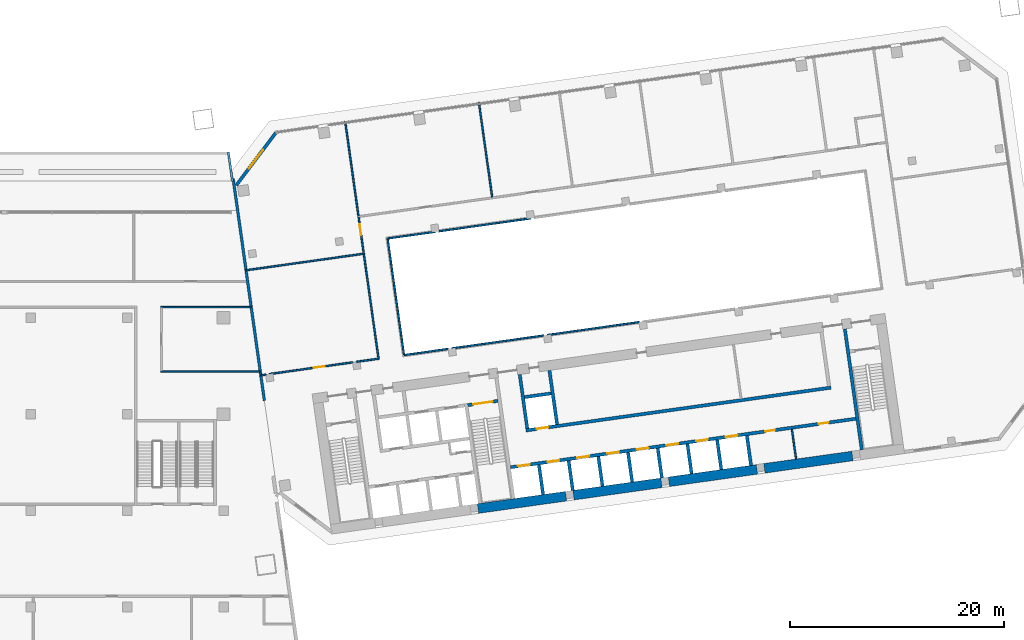
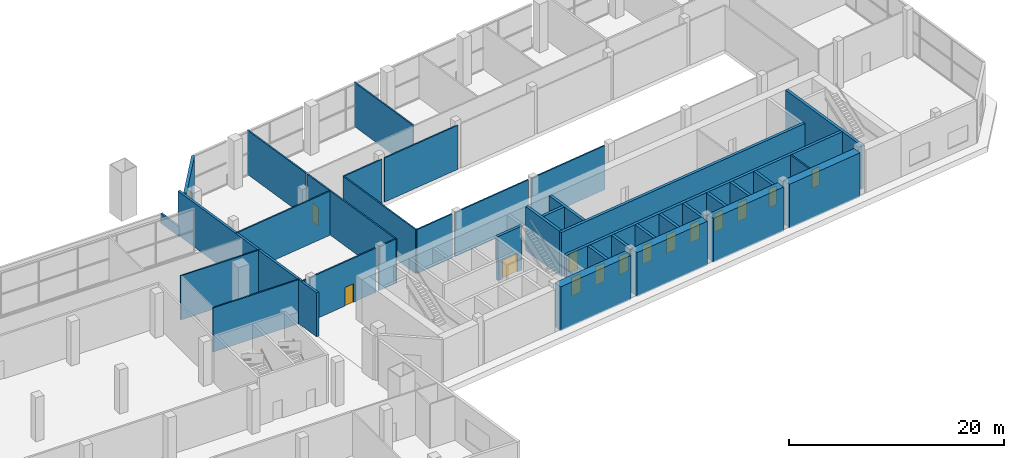
# One storey, part 16 of 23: 38 walls, 14 doors, 1 window, 15 openings.
"""IFC4 building model written with IfcOpenShell, lengths in metres."""

from ifc_helpers import new_model, si_unit, direction, frame, frame_2d, origin, place, context, subcontext, project, spatial, rectangle, extrude, material, layer, layer_set, type_object, element, fill, save


model = new_model("IFC4")

# Units and contexts
model_context = context("Model", 3, precision=1e-05, world=origin(), true_north=direction((0.0, 1.0)))
body_context = subcontext(model_context, "Body", "Model", "MODEL_VIEW")
ifc_project = project(units=[si_unit("LENGTHUNIT", "METRE"), si_unit("AREAUNIT", "SQUARE_METRE"), si_unit("VOLUMEUNIT", "CUBIC_METRE"), si_unit("PLANEANGLEUNIT", "RADIAN"), si_unit("MASSUNIT", "GRAM", prefix="KILO")], contexts=[model_context])

# Site, building, storey
site_placement = place(None, origin())
site = spatial("IfcSite", under=ifc_project, at=site_placement, CompositionType="ELEMENT")
building_placement = place(site_placement, origin())
building = spatial("IfcBuilding", under=site, at=building_placement, Name="Mirante Cascada Hotel Towers", CompositionType="ELEMENT")
storey_placement = place(building_placement, frame((0.0, 0.0, 29.0)))
storey = spatial("IfcBuildingStorey", under=building, at=storey_placement, Name="L04", CompositionType="ELEMENT", Elevation=29.0)

# Walls
ifc_material_1 = material(Name="Masonry block", Category="masonry")
ifc_layer_1 = layer(ifc_material_1, 0.15)
ifc_layer_set_1 = layer_set([ifc_layer_1], Name="Core room partition 150 block EI 30")
wall_type_1 = type_object("IfcWallType", Name="Core room partition 150 block EI 30", PredefinedType="PARTITIONING", material=ifc_layer_set_1)
wall_1_placement = place(storey_placement, frame((80.448, -13.1879, 0.0), z_axis=(0.0, 0.0, 1.0), x_axis=(-0.139176, 0.9902677, 0.0)))
element("IfcWall", 1, at=wall_1_placement, inside=storey, type_object=wall_type_1, Name="Core wall partition T2 L04 4", PredefinedType="PARTITIONING", context=body_context, shape_type="SweptSolid", body=[
    extrude(rectangle(XDim=2.8001, YDim=0.15, at=frame_2d((1.4, 0.0))), origin(), (0.0, 0.0, 1.0), 5.0),
])
ifc_material_2 = material(Name="Masonry block", Category="masonry")
ifc_layer_2 = layer(ifc_material_2, 0.15)
ifc_layer_set_2 = layer_set([ifc_layer_2], Name="Corridor wall 150 block")
wall_type_2 = type_object("IfcWallType", Name="Corridor wall 150 block", PredefinedType="PARTITIONING", material=ifc_layer_set_2)
wall_2_placement = place(storey_placement, frame((21.125, -5.0, 0.0), z_axis=(0.0, 0.0, 1.0), x_axis=(1.0, 0.0, 0.0)))
element("IfcWall", 2, at=wall_2_placement, inside=storey, type_object=wall_type_2, Name="Corridor wall P L04", PredefinedType="PARTITIONING", context=body_context, shape_type="SweptSolid", body=[
    extrude(rectangle(XDim=9.2966, YDim=0.15, at=frame_2d((4.6483, 0.0))), origin(), (0.0, 0.0, 1.0), 5.0),
])
wall_3_placement = place(storey_placement, frame((21.115, 1.0, 0.0), z_axis=(0.0, 0.0, 1.0), x_axis=(1.0, 0.0, 0.0)))
element("IfcWall", 3, at=wall_3_placement, inside=storey, type_object=wall_type_2, Name="Corridor wall P L04", PredefinedType="PARTITIONING", context=body_context, shape_type="SweptSolid", body=[
    extrude(rectangle(XDim=8.4634, YDim=0.15, at=frame_2d((4.2317, 0.0))), origin(), (0.0, 0.0, 1.0), 5.0),
])

# Wall, opening, door
wall_4_placement = place(storey_placement, frame((39.6107, 9.3732, 0.0), z_axis=(0.0, 0.0, 1.0), x_axis=(0.1391716, -0.9902683, 0.0)))
wall_4 = element("IfcWall", 4, at=wall_4_placement, inside=storey, type_object=wall_type_2, Name="Corridor wall T2 L04", PredefinedType="PARTITIONING", context=body_context, shape_type="SweptSolid", body=[
    extrude(rectangle(XDim=13.4, YDim=0.15, at=frame_2d((6.7, 0.0))), origin(), (0.0, 0.0, 1.0), 5.0),
])
opening_1_placement = place(wall_4_placement, frame((0.6675, 0.0, 0.0)))
opening_1 = element("IfcOpeningElement", 5, at=opening_1_placement, cuts=wall_4, Name="Opening DP2-L04-02", PredefinedType="OPENING", context=body_context, shape_type="SweptSolid", body=[
    extrude(rectangle(XDim=1.0, YDim=2.1, at=frame_2d((0.5, 1.05))), frame((0.0, 0.075, 0.0), z_axis=(0.0, -1.0, 0.0), x_axis=(1.0, 0.0, 0.0)), (0.0, 0.0, 1.0), 0.15),
])
ifc_material_3 = material(Name="Timber door leaf", Category="wood")
door_type_1 = type_object("IfcDoorType", Name="Single door 1000x2100", OperationType="NOTDEFINED", PredefinedType="DOOR", material=ifc_material_3)
door_1_placement = place(opening_1_placement, frame((1.0, 0.0, 0.0), z_axis=(0.0, 0.0, 1.0), x_axis=(-1.0, 0.0, 0.0)))
door_1 = element("IfcDoor", 6, at=door_1_placement, inside=storey, type_object=door_type_1, Name="Door DP2-L04-02", OperationType="SINGLE_SWING_RIGHT", OverallHeight=2.1, OverallWidth=1.0, PredefinedType="DOOR", context=body_context, shape_type="SweptSolid", body=[
    extrude(rectangle(XDim=1.0, YDim=2.1, at=frame_2d((0.5, 1.05))), frame((0.0, 0.025, 0.0), z_axis=(0.0, -1.0, 0.0), x_axis=(1.0, 0.0, 0.0)), (0.0, 0.0, 1.0), 0.05),
])
fill(opening_1, door_1)

# Walls
wall_5_placement = place(storey_placement, frame((42.3151, 7.3752, 0.0), z_axis=(0.0, 0.0, 1.0), x_axis=(0.1391674, -0.9902689, 0.0)))
element("IfcWall", 7, at=wall_5_placement, inside=storey, type_object=wall_type_2, Name="Corridor wall T2 L04", PredefinedType="PARTITIONING", context=body_context, shape_type="SweptSolid", body=[
    extrude(rectangle(XDim=10.9401, YDim=0.15, at=frame_2d((5.47, 0.0))), origin(), (0.0, 0.0, 1.0), 5.0),
])
wall_6_placement = place(storey_placement, frame((30.4732, -5.3669, 0.0), z_axis=(0.0, 0.0, 1.0), x_axis=(0.9902657, 0.1391899, 0.0)))
element("IfcWall", 8, at=wall_6_placement, inside=storey, type_object=wall_type_2, Name="Corridor wall T2 L04", PredefinedType="PARTITIONING", context=body_context, shape_type="SweptSolid", body=[
    extrude(rectangle(XDim=0.4957, YDim=0.15, at=frame_2d((0.2478, 0.0))), origin(), (0.0, 0.0, 1.0), 5.0),
])
wall_7_placement = place(storey_placement, frame((43.8715, -3.4839, 0.0), z_axis=(0.0, 0.0, 1.0), x_axis=(0.9902667, 0.1391827, 0.0)))
element("IfcWall", 9, at=wall_7_placement, inside=storey, type_object=wall_type_2, Name="Corridor wall T2 L04", PredefinedType="PARTITIONING", context=body_context, shape_type="SweptSolid", body=[
    extrude(rectangle(XDim=4.1657, YDim=0.15, at=frame_2d((2.0828, 0.0))), origin(), (0.0, 0.0, 1.0), 5.0),
])
wall_8_placement = place(storey_placement, frame((42.3406, 7.409, 0.0), z_axis=(0.0, 0.0, 1.0), x_axis=(0.9902682, 0.1391725, 0.0)))
element("IfcWall", 10, at=wall_8_placement, inside=storey, type_object=wall_type_2, Name="Corridor wall T2 L04", PredefinedType="PARTITIONING", context=body_context, shape_type="SweptSolid", body=[
    extrude(rectangle(XDim=4.4456, YDim=0.15, at=frame_2d((2.2228, 0.0))), origin(), (0.0, 0.0, 1.0), 5.0),
])

# Wall, opening, door
wall_9_placement = place(storey_placement, frame((31.2896, -5.2522, 0.0), z_axis=(0.0, 0.0, 1.0), x_axis=(0.9902676, 0.1391764, 0.0)))
wall_9 = element("IfcWall", 11, at=wall_9_placement, inside=storey, type_object=wall_type_2, Name="Corridor wall T2 L04", PredefinedType="PARTITIONING", context=body_context, shape_type="SweptSolid", body=[
    extrude(rectangle(XDim=7.8713, YDim=0.15, at=frame_2d((3.9356, 0.0))), origin(), (0.0, 0.0, 1.0), 5.0),
])
opening_2_placement = place(wall_9_placement, frame((4.193, 0.0, 0.0)))
opening_2 = element("IfcOpeningElement", 12, at=opening_2_placement, cuts=wall_9, Name="Opening DP2-L04-01", PredefinedType="OPENING", context=body_context, shape_type="SweptSolid", body=[
    extrude(rectangle(XDim=1.0, YDim=2.1, at=frame_2d((0.5, 1.05))), frame((0.0, 0.075, 0.0), z_axis=(0.0, -1.0, 0.0), x_axis=(1.0, 0.0, 0.0)), (0.0, 0.0, 1.0), 0.15),
])
door_2_placement = place(opening_2_placement, frame((1.0, 0.0, 0.0), z_axis=(0.0, 0.0, 1.0), x_axis=(-1.0, 0.0, 0.0)))
door_2 = element("IfcDoor", 13, at=door_2_placement, inside=storey, type_object=door_type_1, Name="Door DP2-L04-01", OperationType="SINGLE_SWING_LEFT", OverallHeight=2.1, OverallWidth=1.0, PredefinedType="DOOR", context=body_context, shape_type="SweptSolid", body=[
    extrude(rectangle(XDim=1.0, YDim=2.1, at=frame_2d((0.5, 1.05))), frame((0.0, 0.025, 0.0), z_axis=(0.0, -1.0, 0.0), x_axis=(1.0, 0.0, 0.0)), (0.0, 0.0, 1.0), 0.05),
])
fill(opening_2, door_2)

# Walls
wall_10_placement = place(storey_placement, frame((39.4096, -4.1109, 0.0), z_axis=(0.0, 0.0, 1.0), x_axis=(0.9902711, 0.1391512, 0.0)))
element("IfcWall", 14, at=wall_10_placement, inside=storey, type_object=wall_type_2, Name="Corridor wall T2 L04", PredefinedType="PARTITIONING", context=body_context, shape_type="SweptSolid", body=[
    extrude(rectangle(XDim=2.0108, YDim=0.15, at=frame_2d((1.0054, 0.0))), origin(), (0.0, 0.0, 1.0), 5.0),
])
wall_11_placement = place(storey_placement, frame((48.3223, -2.8584, 0.0), z_axis=(0.0, 0.0, 1.0), x_axis=(0.990268, 0.1391735, 0.0)))
element("IfcWall", 15, at=wall_11_placement, inside=storey, type_object=wall_type_2, Name="Corridor wall T2 L04", PredefinedType="PARTITIONING", context=body_context, shape_type="SweptSolid", body=[
    extrude(rectangle(XDim=8.6712, YDim=0.15, at=frame_2d((4.3356, 0.0))), origin(), (0.0, 0.0, 1.0), 5.0),
])
for number, where, z_axis, x_axis, name in (
    (16, (57.2347, -1.6058, 0.0), (0.0, 0.0, 1.0), (0.9902682, 0.139172, 0.0), "Corridor wall T2 L04"),
    (17, (47.0684, 8.0735, 0.0), (0.0, 0.0, 1.0), (0.9902682, 0.139172, 0.0), "Corridor wall T2 L04"),
):
    element("IfcWall", number, at=place(storey_placement, frame(where, z_axis=z_axis, x_axis=x_axis)), inside=storey, type_object=wall_type_2, Name=name, PredefinedType="PARTITIONING", context=body_context, shape_type="SweptSolid", body=[
        extrude(rectangle(XDim=8.6713, YDim=0.15, at=frame_2d((4.3356, 0.0))), origin(), (0.0, 0.0, 1.0), 5.0),
    ])
ifc_material_4 = material(Name="Masonry block", Category="masonry")
ifc_layer_3 = layer(ifc_material_4, 0.15)
ifc_layer_set_3 = layer_set([ifc_layer_3], Name="Partition 150 block")
wall_type_3 = type_object("IfcWallType", Name="Partition 150 block", PredefinedType="PARTITIONING", material=ifc_layer_set_3)
wall_12_placement = place(storey_placement, frame((38.3477, 18.3599, 0.0), z_axis=(0.0, 0.0, 1.0), x_axis=(0.1391725, -0.9902682, 0.0)))
element("IfcWall", 18, at=wall_12_placement, inside=storey, type_object=wall_type_3, Name="Partition T2 L04", PredefinedType="PARTITIONING", context=body_context, shape_type="SweptSolid", body=[
    extrude(rectangle(XDim=8.935, YDim=0.15, at=frame_2d((4.4675, 0.0))), origin(), (0.0, 0.0, 1.0), 5.0),
])
wall_13_placement = place(storey_placement, frame((50.8326, 20.1146, 0.0), z_axis=(0.0, 0.0, 1.0), x_axis=(0.13917, -0.9902685, 0.0)))
element("IfcWall", 19, at=wall_13_placement, inside=storey, type_object=wall_type_3, Name="Partition T2 L04", PredefinedType="PARTITIONING", context=body_context, shape_type="SweptSolid", body=[
    extrude(rectangle(XDim=8.9251, YDim=0.15, at=frame_2d((4.4626, 0.0))), origin(), (0.0, 0.0, 1.0), 5.0),
])
wall_14_placement = place(storey_placement, frame((29.0954, 4.4367, 0.0), z_axis=(0.0, 0.0, 1.0), x_axis=(0.9902679, 0.1391746, 0.0)))
element("IfcWall", 20, at=wall_14_placement, inside=storey, type_object=wall_type_3, Name="Partition T2 L04", PredefinedType="PARTITIONING", context=body_context, shape_type="SweptSolid", body=[
    extrude(rectangle(XDim=11.025, YDim=0.15, at=frame_2d((5.5125, 0.0))), origin(), (0.0, 0.0, 1.0), 5.0),
])
ifc_material_5 = material(Name="Masonry block", Category="masonry")
ifc_layer_4 = layer(ifc_material_5, 0.25)
ifc_layer_set_4 = layer_set([ifc_layer_4], Name="Plant room wall 250 block EI 120")
wall_type_4 = type_object("IfcWallType", Name="Plant room wall 250 block EI 120", PredefinedType="PARTITIONING", material=ifc_layer_set_4)
wall_15_placement = place(storey_placement, frame((30.8072, -7.7436, 0.0), z_axis=(0.0, 0.0, 1.0), x_axis=(-0.1391737, 0.990268, 0.0)))
element("IfcWall", 21, at=wall_15_placement, inside=storey, type_object=wall_type_4, Name="Compartment wall T2 L04", PredefinedType="PARTITIONING", context=body_context, shape_type="SweptSolid", body=[
    extrude(rectangle(XDim=20.9501, YDim=0.25, at=frame_2d((10.475, 0.0))), origin(), (0.0, 0.0, 1.0), 5.0),
])

# Wall, opening, window
ifc_material_6 = material(Name="Precast concrete C40/50", Category="concrete")
ifc_layer_5 = layer(ifc_material_6, 0.3)
ifc_layer_set_5 = layer_set([ifc_layer_5], Name="Precast concrete C40/50 cladding wall 300")
wall_type_5 = type_object("IfcWallType", Name="Precast concrete C40/50 cladding wall 300", PredefinedType="STANDARD", material=ifc_layer_set_5)
wall_16_placement = place(storey_placement, frame((31.857, 17.252, 0.0), z_axis=(0.0, 0.0, 1.0), x_axis=(-0.6018141, -0.7986362, 0.0)))
wall_16 = element("IfcWall", 22, at=wall_16_placement, inside=storey, type_object=wall_type_5, Name="Corner cladding wall T2 L04 front inner", PredefinedType="STANDARD", context=body_context, shape_type="SweptSolid", body=[
    extrude(rectangle(XDim=6.1157, YDim=0.3, at=frame_2d((3.0578, 0.0))), origin(), (0.0, 0.0, 1.0), 5.0),
])
opening_3_placement = place(wall_16_placement, frame((1.9578, 0.0, 0.6)))
opening_3 = element("IfcOpeningElement", 23, at=opening_3_placement, cuts=wall_16, Name="Opening W2-04-04", PredefinedType="OPENING", context=body_context, shape_type="SweptSolid", body=[
    extrude(rectangle(XDim=2.2, YDim=2.4, at=frame_2d((1.1, 1.2))), frame((0.0, 0.15, 0.0), z_axis=(0.0, -1.0, 0.0), x_axis=(1.0, 0.0, 0.0)), (0.0, 0.0, 1.0), 0.3),
])
ifc_material_7 = material(Name="Aluminium frame with clear double glazing", Category="aluminium")
window_type = type_object("IfcWindowType", Name="Corner suite window 2200x2400", PartitioningType="DOUBLE_PANEL_VERTICAL", PredefinedType="WINDOW", material=ifc_material_7)
window_placement = place(opening_3_placement, origin())
window = element("IfcWindow", 24, at=window_placement, inside=storey, type_object=window_type, Name="Window W2-04-04", OverallHeight=2.4, OverallWidth=2.2, PartitioningType="SINGLE_PANEL", PredefinedType="WINDOW", context=body_context, shape_type="SweptSolid", body=[
    extrude(rectangle(XDim=2.2, YDim=2.4, at=frame_2d((1.1, 1.2))), frame((0.0, 0.03, 0.0), z_axis=(0.0, -1.0, 0.0), x_axis=(1.0, 0.0, 0.0)), (0.0, 0.0, 1.0), 0.06),
])
fill(opening_3, window)

# Wall
ifc_material_8 = material(Name="Concrete C50/60", Category="concrete")
ifc_layer_6 = layer(ifc_material_8, 0.3)
ifc_layer_set_6 = layer_set([ifc_layer_6], Name="RC core wall 300 C50/60")
wall_type_6 = type_object("IfcWallType", Name="RC core wall 300 C50/60", PredefinedType="SHEAR", material=ifc_layer_set_6)
wall_17_placement = place(storey_placement, frame((86.5877, -12.325, 0.0), z_axis=(0.0, 0.0, 1.0), x_axis=(-0.1391749, 0.9902678, 0.0)))
element("IfcWall", 25, at=wall_17_placement, inside=storey, type_object=wall_type_6, Name="Core wall T2:L04:8", PredefinedType="SHEAR", context=body_context, shape_type="SweptSolid", body=[
    extrude(rectangle(XDim=11.4, YDim=0.3, at=frame_2d((5.7, 0.0))), origin(), (0.0, 0.0, 1.0), 5.0),
])

# Wall, opening, door
wall_18_placement = place(storey_placement, frame((49.7992, -8.1544, 0.0), z_axis=(0.0, 0.0, 1.0), x_axis=(0.9902656, 0.1391909, 0.0)))
wall_18 = element("IfcWall", 26, at=wall_18_placement, inside=storey, type_object=wall_type_6, Name="Core wall T2:L04:10", PredefinedType="SHEAR", context=body_context, shape_type="SweptSolid", body=[
    extrude(rectangle(XDim=2.85, YDim=0.3, at=frame_2d((1.425, 0.0))), origin(), (0.0, 0.0, 1.0), 5.0),
])
opening_4_placement = place(wall_18_placement, frame((0.525, 0.0, 0.0)))
opening_4 = element("IfcOpeningElement", 27, at=opening_4_placement, cuts=wall_18, Name="Opening D2-04-C18", PredefinedType="OPENING", context=body_context, shape_type="SweptSolid", body=[
    extrude(rectangle(XDim=1.8, YDim=2.1, at=frame_2d((0.9, 1.05))), frame((0.0, 0.15, 0.0), z_axis=(0.0, -1.0, 0.0), x_axis=(1.0, 0.0, 0.0)), (0.0, 0.0, 1.0), 0.3),
])
ifc_material_9 = material(Name="Hollow metal fire door leaf")
door_type_2 = type_object("IfcDoorType", Name="Double fire door 1800x2100 FD60", OperationType="DOUBLE_DOOR_SINGLE_SWING", PredefinedType="DOOR", material=ifc_material_9)
door_3_placement = place(opening_4_placement, frame((1.8, 0.0, 0.0), z_axis=(0.0, 0.0, 1.0), x_axis=(-1.0, 0.0, 0.0)))
door_3 = element("IfcDoor", 28, at=door_3_placement, inside=storey, type_object=door_type_2, Name="Stair door T2 L04 18", OperationType="DOUBLE_DOOR_SINGLE_SWING", OverallHeight=2.1, OverallWidth=1.8, PredefinedType="DOOR", context=body_context, shape_type="SweptSolid", body=[
    extrude(rectangle(XDim=0.895, YDim=2.1, at=frame_2d((0.4475, 1.05))), frame((0.0, 0.025, 0.0), z_axis=(0.0, -1.0, 0.0), x_axis=(1.0, 0.0, 0.0)), (0.0, 0.0, 1.0), 0.05),
    extrude(rectangle(XDim=0.895, YDim=2.1, at=frame_2d((1.3525, 1.05))), frame((0.0, 0.025, 0.0), z_axis=(0.0, -1.0, 0.0), x_axis=(1.0, 0.0, 0.0)), (0.0, 0.0, 1.0), 0.05),
])
fill(opening_4, door_3)

# Wall, openings, doors
wall_19_placement = place(storey_placement, frame((53.7953, -13.9547, 0.0), z_axis=(0.0, 0.0, 1.0), x_axis=(0.990268, 0.1391733, 0.0)))
wall_19 = element("IfcWall", 29, at=wall_19_placement, inside=storey, type_object=wall_type_6, Name="Core wall T2:L04:24", PredefinedType="SHEAR", context=body_context, shape_type="SweptSolid", body=[
    extrude(rectangle(XDim=32.5501, YDim=0.3, at=frame_2d((16.275, 0.0))), origin(), (0.0, 0.0, 1.0), 5.0),
])
opening_5_placement = place(wall_19_placement, frame((0.7, 0.0, 0.0)))
opening_5 = element("IfcOpeningElement", 30, at=opening_5_placement, cuts=wall_19, Name="Opening LD", PredefinedType="OPENING", context=body_context, shape_type="SweptSolid", body=[
    extrude(rectangle(XDim=1.1, YDim=2.1, at=frame_2d((0.55, 1.05))), frame((0.0, 0.15, 0.0), z_axis=(0.0, -1.0, 0.0), x_axis=(1.0, 0.0, 0.0)), (0.0, 0.0, 1.0), 0.3),
])
opening_6_placement = place(wall_19_placement, frame((3.5, 0.0, 0.0)))
opening_6 = element("IfcOpeningElement", 31, at=opening_6_placement, cuts=wall_19, Name="Opening LD", PredefinedType="OPENING", context=body_context, shape_type="SweptSolid", body=[
    extrude(rectangle(XDim=1.1, YDim=2.1, at=frame_2d((0.55, 1.05))), frame((0.0, 0.15, 0.0), z_axis=(0.0, -1.0, 0.0), x_axis=(1.0, 0.0, 0.0)), (0.0, 0.0, 1.0), 0.3),
])
opening_7_placement = place(wall_19_placement, frame((6.3, 0.0, 0.0)))
opening_7 = element("IfcOpeningElement", 32, at=opening_7_placement, cuts=wall_19, Name="Opening LD", PredefinedType="OPENING", context=body_context, shape_type="SweptSolid", body=[
    extrude(rectangle(XDim=1.1, YDim=2.1, at=frame_2d((0.55, 1.05))), frame((0.0, 0.15, 0.0), z_axis=(0.0, -1.0, 0.0), x_axis=(1.0, 0.0, 0.0)), (0.0, 0.0, 1.0), 0.3),
])
opening_8_placement = place(wall_19_placement, frame((9.1, 0.0, 0.0)))
opening_8 = element("IfcOpeningElement", 33, at=opening_8_placement, cuts=wall_19, Name="Opening LD", PredefinedType="OPENING", context=body_context, shape_type="SweptSolid", body=[
    extrude(rectangle(XDim=1.1, YDim=2.1, at=frame_2d((0.55, 1.05))), frame((0.0, 0.15, 0.0), z_axis=(0.0, -1.0, 0.0), x_axis=(1.0, 0.0, 0.0)), (0.0, 0.0, 1.0), 0.3),
])
opening_9_placement = place(wall_19_placement, frame((11.9, 0.0, 0.0)))
opening_9 = element("IfcOpeningElement", 34, at=opening_9_placement, cuts=wall_19, Name="Opening LD", PredefinedType="OPENING", context=body_context, shape_type="SweptSolid", body=[
    extrude(rectangle(XDim=1.1, YDim=2.1, at=frame_2d((0.55, 1.05))), frame((0.0, 0.15, 0.0), z_axis=(0.0, -1.0, 0.0), x_axis=(1.0, 0.0, 0.0)), (0.0, 0.0, 1.0), 0.3),
])
opening_10_placement = place(wall_19_placement, frame((14.7, 0.0, 0.0)))
opening_10 = element("IfcOpeningElement", 35, at=opening_10_placement, cuts=wall_19, Name="Opening LD", PredefinedType="OPENING", context=body_context, shape_type="SweptSolid", body=[
    extrude(rectangle(XDim=1.1, YDim=2.1, at=frame_2d((0.55, 1.05))), frame((0.0, 0.15, 0.0), z_axis=(0.0, -1.0, 0.0), x_axis=(1.0, 0.0, 0.0)), (0.0, 0.0, 1.0), 0.3),
])
opening_11_placement = place(wall_19_placement, frame((17.5, 0.0, 0.0)))
opening_11 = element("IfcOpeningElement", 36, at=opening_11_placement, cuts=wall_19, Name="Opening LD", PredefinedType="OPENING", context=body_context, shape_type="SweptSolid", body=[
    extrude(rectangle(XDim=1.1, YDim=2.1, at=frame_2d((0.55, 1.05))), frame((0.0, 0.15, 0.0), z_axis=(0.0, -1.0, 0.0), x_axis=(1.0, 0.0, 0.0)), (0.0, 0.0, 1.0), 0.3),
])
opening_12_placement = place(wall_19_placement, frame((20.3, 0.0, 0.0)))
opening_12 = element("IfcOpeningElement", 37, at=opening_12_placement, cuts=wall_19, Name="Opening LD", PredefinedType="OPENING", context=body_context, shape_type="SweptSolid", body=[
    extrude(rectangle(XDim=1.1, YDim=2.1, at=frame_2d((0.55, 1.05))), frame((0.0, 0.15, 0.0), z_axis=(0.0, -1.0, 0.0), x_axis=(1.0, 0.0, 0.0)), (0.0, 0.0, 1.0), 0.3),
])
opening_13_placement = place(wall_19_placement, frame((24.0, 0.0, 0.0)))
opening_13 = element("IfcOpeningElement", 38, at=opening_13_placement, cuts=wall_19, Name="Opening D2-04-C28", PredefinedType="OPENING", context=body_context, shape_type="SweptSolid", body=[
    extrude(rectangle(XDim=0.9, YDim=2.1, at=frame_2d((0.45, 1.05))), frame((0.0, 0.15, 0.0), z_axis=(0.0, -1.0, 0.0), x_axis=(1.0, 0.0, 0.0)), (0.0, 0.0, 1.0), 0.3),
])
opening_14_placement = place(wall_19_placement, frame((29.075, 0.0, 0.0)))
opening_14 = element("IfcOpeningElement", 39, at=opening_14_placement, cuts=wall_19, Name="Opening D2-04-C29", PredefinedType="OPENING", context=body_context, shape_type="SweptSolid", body=[
    extrude(rectangle(XDim=0.9, YDim=2.1, at=frame_2d((0.45, 1.05))), frame((0.0, 0.15, 0.0), z_axis=(0.0, -1.0, 0.0), x_axis=(1.0, 0.0, 0.0)), (0.0, 0.0, 1.0), 0.3),
])
ifc_material_10 = material(Name="Hollow metal fire door leaf")
door_type_3 = type_object("IfcDoorType", Name="Fire door 900x2100 FD60", OperationType="NOTDEFINED", PredefinedType="DOOR", material=ifc_material_10)
door_4_placement = place(opening_13_placement, frame((0.9, 0.0, 0.0), z_axis=(0.0, 0.0, 1.0), x_axis=(-1.0, 0.0, 0.0)))
door_4 = element("IfcDoor", 40, at=door_4_placement, inside=storey, type_object=door_type_3, Name="Room door T2 L04 28", OperationType="SINGLE_SWING_RIGHT", OverallHeight=2.1, OverallWidth=0.9, PredefinedType="DOOR", context=body_context, shape_type="SweptSolid", body=[
    extrude(rectangle(XDim=0.9, YDim=2.1, at=frame_2d((0.45, 1.05))), frame((0.0, 0.025, 0.0), z_axis=(0.0, -1.0, 0.0), x_axis=(1.0, 0.0, 0.0)), (0.0, 0.0, 1.0), 0.05),
])
fill(opening_13, door_4)
door_5_placement = place(opening_14_placement, frame((0.9, 0.0, 0.0), z_axis=(0.0, 0.0, 1.0), x_axis=(-1.0, 0.0, 0.0)))
door_5 = element("IfcDoor", 41, at=door_5_placement, inside=storey, type_object=door_type_3, Name="Room door T2 L04 29", OperationType="SINGLE_SWING_RIGHT", OverallHeight=2.1, OverallWidth=0.9, PredefinedType="DOOR", context=body_context, shape_type="SweptSolid", body=[
    extrude(rectangle(XDim=0.9, YDim=2.1, at=frame_2d((0.45, 1.05))), frame((0.0, 0.025, 0.0), z_axis=(0.0, -1.0, 0.0), x_axis=(1.0, 0.0, 0.0)), (0.0, 0.0, 1.0), 0.05),
])
fill(opening_14, door_5)
ifc_material_11 = material(Name="Stainless steel", Category="steel")
door_type_4 = type_object("IfcDoorType", Name="Lift landing door 1100x2100 EI 120", OperationType="DOUBLE_DOOR_SLIDING", PredefinedType="DOOR", material=ifc_material_11)
door_6_placement = place(opening_5_placement, origin())
door_6 = element("IfcDoor", 42, at=door_6_placement, inside=storey, type_object=door_type_4, Name="Lift landing door LR2-1 L04", OperationType="DOUBLE_DOOR_SLIDING", OverallHeight=2.1, OverallWidth=1.1, PredefinedType="DOOR", context=body_context, shape_type="SweptSolid", body=[
    extrude(rectangle(XDim=0.545, YDim=2.1, at=frame_2d((0.2725, 1.05))), frame((0.0, 0.025, 0.0), z_axis=(0.0, -1.0, 0.0), x_axis=(1.0, 0.0, 0.0)), (0.0, 0.0, 1.0), 0.05),
    extrude(rectangle(XDim=0.545, YDim=2.1, at=frame_2d((0.8275, 1.05))), frame((0.0, 0.025, 0.0), z_axis=(0.0, -1.0, 0.0), x_axis=(1.0, 0.0, 0.0)), (0.0, 0.0, 1.0), 0.05),
])
fill(opening_5, door_6)
door_7_placement = place(opening_6_placement, origin())
door_7 = element("IfcDoor", 43, at=door_7_placement, inside=storey, type_object=door_type_4, Name="Lift landing door LR2-2 L04", OperationType="DOUBLE_DOOR_SLIDING", OverallHeight=2.1, OverallWidth=1.1, PredefinedType="DOOR", context=body_context, shape_type="SweptSolid", body=[
    extrude(rectangle(XDim=0.545, YDim=2.1, at=frame_2d((0.2725, 1.05))), frame((0.0, 0.025, 0.0), z_axis=(0.0, -1.0, 0.0), x_axis=(1.0, 0.0, 0.0)), (0.0, 0.0, 1.0), 0.05),
    extrude(rectangle(XDim=0.545, YDim=2.1, at=frame_2d((0.8275, 1.05))), frame((0.0, 0.025, 0.0), z_axis=(0.0, -1.0, 0.0), x_axis=(1.0, 0.0, 0.0)), (0.0, 0.0, 1.0), 0.05),
])
fill(opening_6, door_7)
door_8_placement = place(opening_7_placement, origin())
door_8 = element("IfcDoor", 44, at=door_8_placement, inside=storey, type_object=door_type_4, Name="Lift landing door SV2-1 L04", OperationType="DOUBLE_DOOR_SLIDING", OverallHeight=2.1, OverallWidth=1.1, PredefinedType="DOOR", context=body_context, shape_type="SweptSolid", body=[
    extrude(rectangle(XDim=0.545, YDim=2.1, at=frame_2d((0.2725, 1.05))), frame((0.0, 0.025, 0.0), z_axis=(0.0, -1.0, 0.0), x_axis=(1.0, 0.0, 0.0)), (0.0, 0.0, 1.0), 0.05),
    extrude(rectangle(XDim=0.545, YDim=2.1, at=frame_2d((0.8275, 1.05))), frame((0.0, 0.025, 0.0), z_axis=(0.0, -1.0, 0.0), x_axis=(1.0, 0.0, 0.0)), (0.0, 0.0, 1.0), 0.05),
])
fill(opening_7, door_8)
door_9_placement = place(opening_8_placement, origin())
door_9 = element("IfcDoor", 45, at=door_9_placement, inside=storey, type_object=door_type_4, Name="Lift landing door SV2-2 L04", OperationType="DOUBLE_DOOR_SLIDING", OverallHeight=2.1, OverallWidth=1.1, PredefinedType="DOOR", context=body_context, shape_type="SweptSolid", body=[
    extrude(rectangle(XDim=0.545, YDim=2.1, at=frame_2d((0.2725, 1.05))), frame((0.0, 0.025, 0.0), z_axis=(0.0, -1.0, 0.0), x_axis=(1.0, 0.0, 0.0)), (0.0, 0.0, 1.0), 0.05),
    extrude(rectangle(XDim=0.545, YDim=2.1, at=frame_2d((0.8275, 1.05))), frame((0.0, 0.025, 0.0), z_axis=(0.0, -1.0, 0.0), x_axis=(1.0, 0.0, 0.0)), (0.0, 0.0, 1.0), 0.05),
])
fill(opening_8, door_9)
door_10_placement = place(opening_9_placement, origin())
door_10 = element("IfcDoor", 46, at=door_10_placement, inside=storey, type_object=door_type_4, Name="Lift landing door SV2-3 L04", OperationType="DOUBLE_DOOR_SLIDING", OverallHeight=2.1, OverallWidth=1.1, PredefinedType="DOOR", context=body_context, shape_type="SweptSolid", body=[
    extrude(rectangle(XDim=0.545, YDim=2.1, at=frame_2d((0.2725, 1.05))), frame((0.0, 0.025, 0.0), z_axis=(0.0, -1.0, 0.0), x_axis=(1.0, 0.0, 0.0)), (0.0, 0.0, 1.0), 0.05),
    extrude(rectangle(XDim=0.545, YDim=2.1, at=frame_2d((0.8275, 1.05))), frame((0.0, 0.025, 0.0), z_axis=(0.0, -1.0, 0.0), x_axis=(1.0, 0.0, 0.0)), (0.0, 0.0, 1.0), 0.05),
])
fill(opening_9, door_10)
door_11_placement = place(opening_10_placement, origin())
door_11 = element("IfcDoor", 47, at=door_11_placement, inside=storey, type_object=door_type_4, Name="Lift landing door SV2-4 L04", OperationType="DOUBLE_DOOR_SLIDING", OverallHeight=2.1, OverallWidth=1.1, PredefinedType="DOOR", context=body_context, shape_type="SweptSolid", body=[
    extrude(rectangle(XDim=0.545, YDim=2.1, at=frame_2d((0.2725, 1.05))), frame((0.0, 0.025, 0.0), z_axis=(0.0, -1.0, 0.0), x_axis=(1.0, 0.0, 0.0)), (0.0, 0.0, 1.0), 0.05),
    extrude(rectangle(XDim=0.545, YDim=2.1, at=frame_2d((0.8275, 1.05))), frame((0.0, 0.025, 0.0), z_axis=(0.0, -1.0, 0.0), x_axis=(1.0, 0.0, 0.0)), (0.0, 0.0, 1.0), 0.05),
])
fill(opening_10, door_11)
door_12_placement = place(opening_11_placement, origin())
door_12 = element("IfcDoor", 48, at=door_12_placement, inside=storey, type_object=door_type_4, Name="Lift landing door PS2-1 L04", OperationType="DOUBLE_DOOR_SLIDING", OverallHeight=2.1, OverallWidth=1.1, PredefinedType="DOOR", context=body_context, shape_type="SweptSolid", body=[
    extrude(rectangle(XDim=0.545, YDim=2.1, at=frame_2d((0.2725, 1.05))), frame((0.0, 0.025, 0.0), z_axis=(0.0, -1.0, 0.0), x_axis=(1.0, 0.0, 0.0)), (0.0, 0.0, 1.0), 0.05),
    extrude(rectangle(XDim=0.545, YDim=2.1, at=frame_2d((0.8275, 1.05))), frame((0.0, 0.025, 0.0), z_axis=(0.0, -1.0, 0.0), x_axis=(1.0, 0.0, 0.0)), (0.0, 0.0, 1.0), 0.05),
])
fill(opening_11, door_12)
door_13_placement = place(opening_12_placement, origin())
door_13 = element("IfcDoor", 49, at=door_13_placement, inside=storey, type_object=door_type_4, Name="Lift landing door PS2-2 L04", OperationType="DOUBLE_DOOR_SLIDING", OverallHeight=2.1, OverallWidth=1.1, PredefinedType="DOOR", context=body_context, shape_type="SweptSolid", body=[
    extrude(rectangle(XDim=0.545, YDim=2.1, at=frame_2d((0.2725, 1.05))), frame((0.0, 0.025, 0.0), z_axis=(0.0, -1.0, 0.0), x_axis=(1.0, 0.0, 0.0)), (0.0, 0.0, 1.0), 0.05),
    extrude(rectangle(XDim=0.545, YDim=2.1, at=frame_2d((0.8275, 1.05))), frame((0.0, 0.025, 0.0), z_axis=(0.0, -1.0, 0.0), x_axis=(1.0, 0.0, 0.0)), (0.0, 0.0, 1.0), 0.05),
])
fill(opening_12, door_13)

# Walls
for number, where, z_axis, x_axis, name in (
    (50, (56.8301, -16.5072, 0.0), (0.0, 0.0, 1.0), (-0.139176, 0.9902677, 0.0), "Core wall T2:L04:25"),
    (51, (59.6029, -16.1175, 0.0), (0.0, 0.0, 1.0), (-0.139176, 0.9902677, 0.0), "Core wall T2:L04:26"),
    (52, (62.3756, -15.7278, 0.0), (0.0, 0.0, 1.0), (-0.139176, 0.9902677, 0.0), "Core wall T2:L04:27"),
    (53, (65.1484, -15.3381, 0.0), (0.0, 0.0, 1.0), (-0.139176, 0.9902677, 0.0), "Core wall T2:L04:28"),
):
    element("IfcWall", number, at=place(storey_placement, frame(where, z_axis=z_axis, x_axis=x_axis)), inside=storey, type_object=wall_type_6, Name=name, PredefinedType="SHEAR", context=body_context, shape_type="SweptSolid", body=[
        extrude(rectangle(XDim=2.8001, YDim=0.3, at=frame_2d((1.4, 0.0))), origin(), (0.0, 0.0, 1.0), 5.0),
    ])
for number, where, z_axis, x_axis, name in (
    (54, (67.9211, -14.9484, 0.0), (0.0, 0.0, 1.0), (-0.139181, 0.990267, 0.0), "Core wall T2:L04:29"),
    (55, (70.6939, -14.5587, 0.0), (0.0, 0.0, 1.0), (-0.139181, 0.990267, 0.0), "Core wall T2:L04:30"),
    (56, (73.4666, -14.169, 0.0), (0.0, 0.0, 1.0), (-0.139181, 0.990267, 0.0), "Core wall T2:L04:31"),
):
    element("IfcWall", number, at=place(storey_placement, frame(where, z_axis=z_axis, x_axis=x_axis)), inside=storey, type_object=wall_type_6, Name=name, PredefinedType="SHEAR", context=body_context, shape_type="SweptSolid", body=[
        extrude(rectangle(XDim=2.8, YDim=0.3, at=frame_2d((1.4, 0.0))), origin(), (0.0, 0.0, 1.0), 5.0),
    ])
wall_20_placement = place(storey_placement, frame((76.2394, -13.7794, 0.0), z_axis=(0.0, 0.0, 1.0), x_axis=(-0.139176, 0.9902677, 0.0)))
element("IfcWall", 57, at=wall_20_placement, inside=storey, type_object=wall_type_6, Name="Core wall T2:L04:32", PredefinedType="SHEAR", context=body_context, shape_type="SweptSolid", body=[
    extrude(rectangle(XDim=2.8001, YDim=0.3, at=frame_2d((1.4, 0.0))), origin(), (0.0, 0.0, 1.0), 5.0),
])

# Wall, opening, door
wall_21_placement = place(storey_placement, frame((55.2315, -10.5214, 0.0), z_axis=(0.0, 0.0, 1.0), x_axis=(0.9902682, 0.1391722, 0.0)))
wall_21 = element("IfcWall", 58, at=wall_21_placement, inside=storey, type_object=wall_type_6, Name="Core wall T2:L04:34", PredefinedType="SHEAR", context=body_context, shape_type="SweptSolid", body=[
    extrude(rectangle(XDim=28.75, YDim=0.3, at=frame_2d((14.375, 0.0))), origin(), (0.0, 0.0, 1.0), 5.0),
])
opening_15_placement = place(wall_21_placement, frame((1.0, 0.0, 0.0)))
opening_15 = element("IfcOpeningElement", 59, at=opening_15_placement, cuts=wall_21, Name="Opening LD", PredefinedType="OPENING", context=body_context, shape_type="SweptSolid", body=[
    extrude(rectangle(XDim=1.1, YDim=2.1, at=frame_2d((0.55, 1.05))), frame((0.0, 0.15, 0.0), z_axis=(0.0, -1.0, 0.0), x_axis=(1.0, 0.0, 0.0)), (0.0, 0.0, 1.0), 0.3),
])
door_14_placement = place(opening_15_placement, origin())
door_14 = element("IfcDoor", 60, at=door_14_placement, inside=storey, type_object=door_type_4, Name="Lift landing door LR2-3 L04", OperationType="DOUBLE_DOOR_SLIDING", OverallHeight=2.1, OverallWidth=1.1, PredefinedType="DOOR", context=body_context, shape_type="SweptSolid", body=[
    extrude(rectangle(XDim=0.545, YDim=2.1, at=frame_2d((0.2725, 1.05))), frame((0.0, 0.025, 0.0), z_axis=(0.0, -1.0, 0.0), x_axis=(1.0, 0.0, 0.0)), (0.0, 0.0, 1.0), 0.05),
    extrude(rectangle(XDim=0.545, YDim=2.1, at=frame_2d((0.8275, 1.05))), frame((0.0, 0.025, 0.0), z_axis=(0.0, -1.0, 0.0), x_axis=(1.0, 0.0, 0.0)), (0.0, 0.0, 1.0), 0.05),
])
fill(opening_15, door_14)

# Walls
for number, where, z_axis, x_axis, name in (
    (61, (55.3592, -10.352, 0.0), (0.0, 0.0, 1.0), (-0.1391755, 0.9902677, 0.0), "Core wall T2:L04:35"),
    (62, (58.1319, -9.9623, 0.0), (0.0, 0.0, 1.0), (-0.1391755, 0.9902677, 0.0), "Core wall T2:L04:37"),
):
    element("IfcWall", number, at=place(storey_placement, frame(where, z_axis=z_axis, x_axis=x_axis)), inside=storey, type_object=wall_type_6, Name=name, PredefinedType="SHEAR", context=body_context, shape_type="SweptSolid", body=[
        extrude(rectangle(XDim=5.1, YDim=0.3, at=frame_2d((2.55, 0.0))), origin(), (0.0, 0.0, 1.0), 5.0),
    ])
wall_22_placement = place(storey_placement, frame((55.0971, -7.4098, 0.0), z_axis=(0.0, 0.0, 1.0), x_axis=(0.9902701, 0.1391586, 0.0)))
element("IfcWall", 63, at=wall_22_placement, inside=storey, type_object=wall_type_6, Name="Core wall T2:L04:38", PredefinedType="SHEAR", context=body_context, shape_type="SweptSolid", body=[
    extrude(rectangle(XDim=2.5, YDim=0.3, at=frame_2d((1.25, 0.0))), origin(), (0.0, 0.0, 1.0), 5.0),
])
ifc_material_12 = material(Name="Concrete C50/60", Category="concrete")
ifc_layer_7 = layer(ifc_material_12, 0.9)
ifc_layer_set_7 = layer_set([ifc_layer_7], Name="RC core wall 900 C50/60")
wall_type_7 = type_object("IfcWallType", Name="RC core wall 900 C50/60", PredefinedType="SHEAR", material=ifc_layer_set_7)
for number, where, z_axis, x_axis, name in (
    (64, (50.7531, -17.8156, 0.0), (0.0, 0.0, 1.0), (0.9902686, 0.1391692, 0.0), "Core wall T2:L04:1.3"),
    (65, (59.6655, -16.5631, 0.0), (0.0, 0.0, 1.0), (0.9902686, 0.1391692, 0.0), "Core wall T2:L04:1.4"),
    (66, (68.5779, -15.3105, 0.0), (0.0, 0.0, 1.0), (0.9902686, 0.1391692, 0.0), "Core wall T2:L04:1.5"),
    (67, (77.4903, -14.058, 0.0), (0.0, 0.0, 1.0), (0.990267, 0.139181, 0.0), "Core wall T2:L04:1.6"),
):
    element("IfcWall", number, at=place(storey_placement, frame(where, z_axis=z_axis, x_axis=x_axis)), inside=storey, type_object=wall_type_7, Name=name, PredefinedType="SHEAR", context=body_context, shape_type="SweptSolid", body=[
        extrude(rectangle(XDim=8.3, YDim=0.9, at=frame_2d((4.15, 0.0))), origin(), (0.0, 0.0, 1.0), 5.0),
    ])
ifc_material_13 = material(Name="Precast concrete C40/50", Category="concrete")
ifc_layer_8 = layer(ifc_material_13, 0.2)
ifc_layer_set_8 = layer_set([ifc_layer_8], Name="Terrace parapet wall 200 concrete C40/50")
wall_type_8 = type_object("IfcWallType", Name="Terrace parapet wall 200 concrete C40/50", PredefinedType="PARAPET", material=ifc_layer_set_8)
wall_23_placement = place(storey_placement, frame((27.828, 12.7361, 0.0), z_axis=(0.0, 0.0, 1.0), x_axis=(-0.1391776, 0.9902674, 0.0)))
element("IfcWall", 68, at=wall_23_placement, inside=storey, type_object=wall_type_8, Name="Terrace parapet podium L03 1.2.1", PredefinedType="PARAPET", context=body_context, shape_type="SweptSolid", body=[
    extrude(rectangle(XDim=2.777, YDim=0.2, at=frame_2d((1.3885, 0.0))), origin(), (0.0, 0.0, 1.0), 1.1),
])

save(model, "model.ifc")
